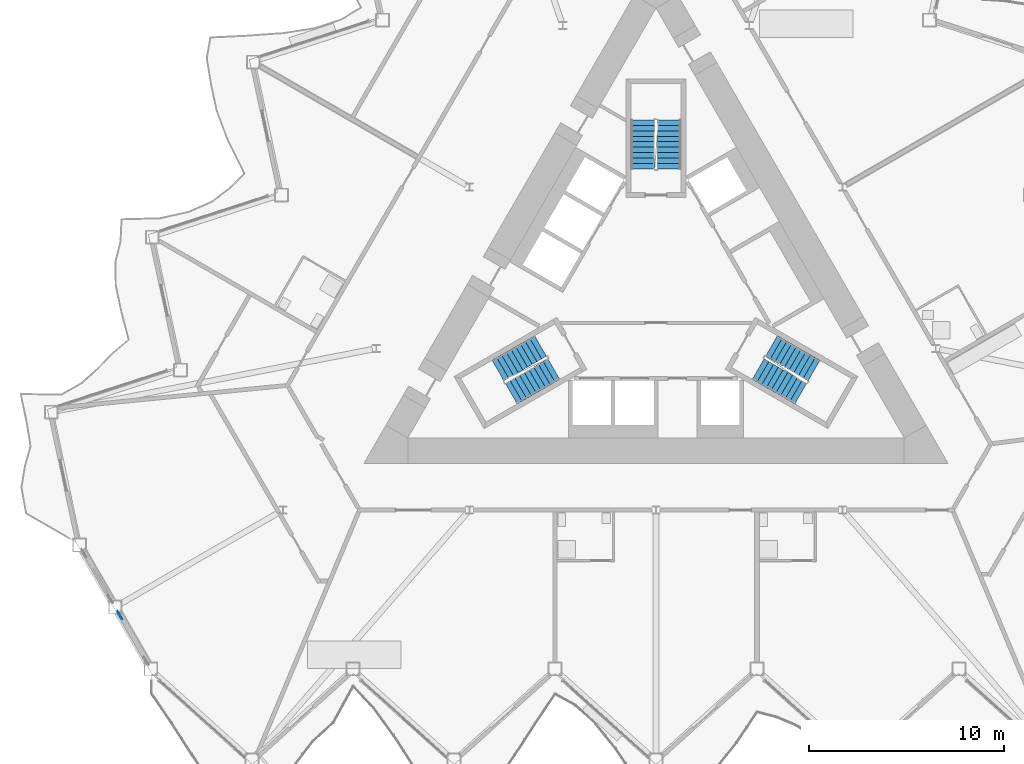
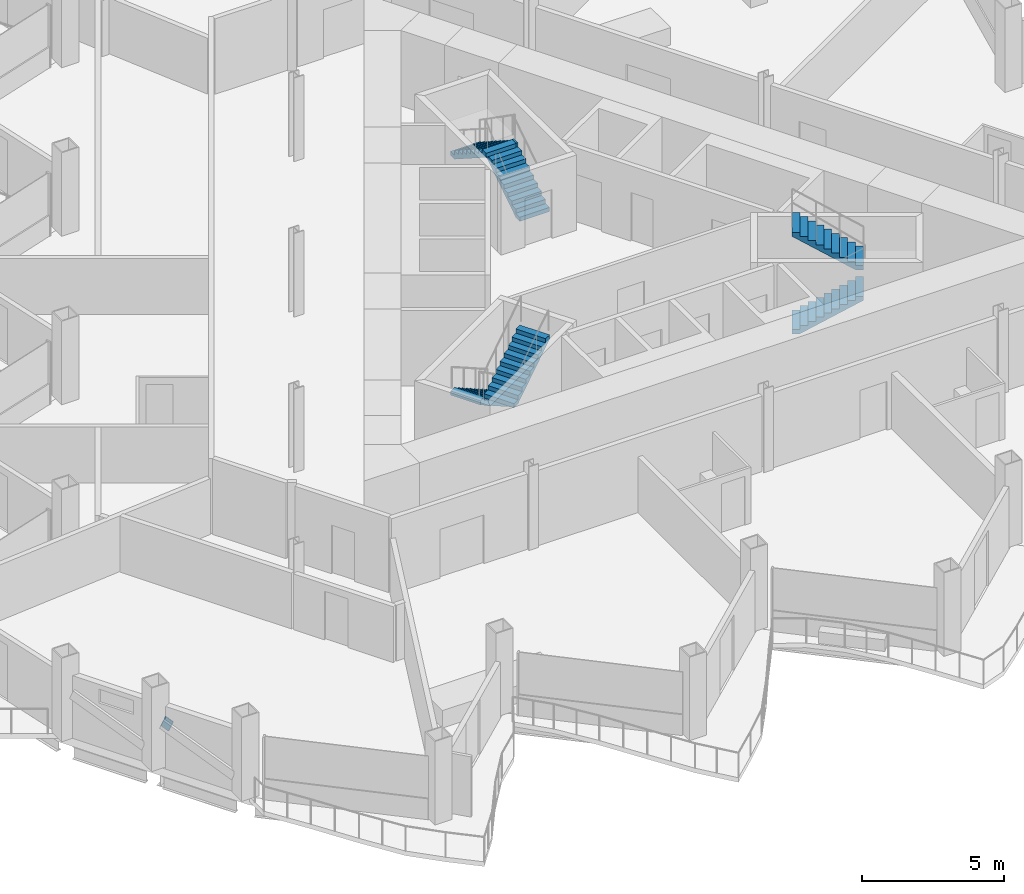
# One storey, part 15 of 23: 6 stair flights, 1 discrete accessory, 3 elements without a shape of their own.
"""IFC4 building model written with IfcOpenShell, lengths in metres."""

from ifc_helpers import new_model, si_unit, direction, frame, origin, origin_2d, place, context, subcontext, project, spatial, polyline, rectangle, outline, extrude, material, material_profile, profile_set, type_object, element, aggregate, save


model = new_model("IFC4")

# Units and contexts
model_context = context("Model", 3, precision=1e-05, world=origin(), true_north=direction((0.0, 1.0)))
body_context = subcontext(model_context, "Body", "Model", "MODEL_VIEW")
ifc_project = project(units=[si_unit("LENGTHUNIT", "METRE"), si_unit("AREAUNIT", "SQUARE_METRE"), si_unit("VOLUMEUNIT", "CUBIC_METRE"), si_unit("PLANEANGLEUNIT", "RADIAN"), si_unit("MASSUNIT", "GRAM", prefix="KILO")], contexts=[model_context])

# Site, building, storey
site_placement = place(None, origin())
site = spatial("IfcSite", under=ifc_project, at=site_placement, CompositionType="ELEMENT")
building_placement = place(site_placement, origin())
building = spatial("IfcBuilding", under=site, at=building_placement, Name="Cormorant Prow Tower", CompositionType="ELEMENT")
storey_placement = place(building_placement, frame((0.0, 0.0, 267.0)))
storey = spatial("IfcBuildingStorey", under=building, at=storey_placement, Name="L60", CompositionType="ELEMENT", Elevation=267.0)

# Stair, stair flights
ifc_material_1 = material(Name="Exit stair 20 risers")
stair_type = type_object("IfcStairType", Name="Exit stair 20 risers", PredefinedType="HALF_TURN_STAIR", material=ifc_material_1)
stair_1_placement = place(storey_placement, origin())
stair_1 = element("IfcStair", 1, at=stair_1_placement, inside=storey, type_object=stair_type, Name="L60 Exit stair ST1", PredefinedType="HALF_TURN_STAIR")
ifc_material_2 = material(Name="Concrete 5000 psi", Category="concrete")
stair_flight_type = type_object("IfcStairFlightType", Name="Stair flight 1219", PredefinedType="STRAIGHT", material=ifc_material_2)
stair_flight_1_placement = place(storey_placement, frame((-5.93310546875, -2.635009765625, 0.0), z_axis=(0.0, 0.0, 1.0), x_axis=(-0.866025403784, -0.5, 0.0)))
stair_flight_1 = element("IfcStairFlight", 2, at=stair_flight_1_placement, type_object=stair_flight_type, Name="ST1 flight 1", NumberOfRisers=10, NumberOfTreads=9, PredefinedType="STRAIGHT", RiserHeight=0.18, TreadLength=0.28, context=body_context, shape_type="SweptSolid", body=[
    extrude(outline(polyline([(0.0, 0.0), (0.0, 0.179931640625), (0.280029296875, 0.179931640625), (0.280029296875, 0.360107421875), (0.56005859375, 0.360107421875), (0.56005859375, 0.5400390625), (0.840087890625, 0.5400390625), (0.840087890625, 0.719970703125), (1.1201171875, 0.719970703125), (1.1201171875, 0.89990234375), (1.39990234375, 0.89990234375), (1.39990234375, 1.080078125), (1.679931640625, 1.080078125), (1.679931640625, 1.260009765625), (1.9599609375, 1.260009765625), (1.9599609375, 1.43994140625), (2.239990234375, 1.43994140625), (2.239990234375, 1.6201171875), (2.52001953125, 1.6201171875), (2.52001953125, 1.800048828125), (2.52001953125, 1.44189453125), (0.277099609375, 0.0), (0.0, 0.0)])), frame((0.0, 0.609375, 0.0), z_axis=(0.0, -1.0, 0.0), x_axis=(1.0, 0.0, 0.0)), (0.0, 0.0, 1.0), 1.218994140625),
])
stair_flight_2_placement = place(storey_placement, frame((-7.43115234375, -5.080810546875, 1.800048828125), z_axis=(0.0, 0.0, 1.0), x_axis=(0.866025403784, 0.5, 0.0)))
stair_flight_2 = element("IfcStairFlight", 3, at=stair_flight_2_placement, type_object=stair_flight_type, Name="ST1 flight 2", NumberOfRisers=10, NumberOfTreads=9, PredefinedType="STRAIGHT", RiserHeight=0.18, TreadLength=0.28, context=body_context, shape_type="SweptSolid", body=[
    extrude(outline(polyline([(0.0, 0.0), (0.0, 0.179931640625), (0.280029296875, 0.179931640625), (0.280029296875, 0.360107421875), (0.56005859375, 0.360107421875), (0.56005859375, 0.5400390625), (0.840087890625, 0.5400390625), (0.840087890625, 0.719970703125), (1.1201171875, 0.719970703125), (1.1201171875, 0.89990234375), (1.39990234375, 0.89990234375), (1.39990234375, 1.080078125), (1.679931640625, 1.080078125), (1.679931640625, 1.260009765625), (1.9599609375, 1.260009765625), (1.9599609375, 1.43994140625), (2.239990234375, 1.43994140625), (2.239990234375, 1.6201171875), (2.52001953125, 1.6201171875), (2.52001953125, 1.800048828125), (2.52001953125, 1.44189453125), (0.277099609375, 0.0), (0.0, 0.0)])), frame((0.0, 0.609375, 0.0), z_axis=(0.0, -1.0, 0.0), x_axis=(1.0, 0.0, 0.0)), (0.0, 0.0, 1.0), 1.218994140625),
])
aggregate(stair_1, [stair_flight_1, stair_flight_2])

stair_2_placement = place(storey_placement, origin())
stair_2 = element("IfcStair", 4, at=stair_2_placement, inside=storey, type_object=stair_type, Name="L60 Exit stair ST2", PredefinedType="HALF_TURN_STAIR")
stair_flight_3_placement = place(storey_placement, frame((5.24853515625, -3.82080078125, 0.0), z_axis=(0.0, 0.0, 1.0), x_axis=(0.866025403784, -0.5, 0.0)))
stair_flight_3 = element("IfcStairFlight", 5, at=stair_flight_3_placement, type_object=stair_flight_type, Name="ST2 flight 1", NumberOfRisers=10, NumberOfTreads=9, PredefinedType="STRAIGHT", RiserHeight=0.18, TreadLength=0.28, context=body_context, shape_type="SweptSolid", body=[
    extrude(outline(polyline([(0.0, 0.0), (0.0, 0.179931640625), (0.280029296875, 0.179931640625), (0.280029296875, 0.360107421875), (0.56005859375, 0.360107421875), (0.56005859375, 0.5400390625), (0.840087890625, 0.5400390625), (0.840087890625, 0.719970703125), (1.1201171875, 0.719970703125), (1.1201171875, 0.89990234375), (1.39990234375, 0.89990234375), (1.39990234375, 1.080078125), (1.679931640625, 1.080078125), (1.679931640625, 1.260009765625), (1.9599609375, 1.260009765625), (1.9599609375, 1.43994140625), (2.239990234375, 1.43994140625), (2.239990234375, 1.6201171875), (2.52001953125, 1.6201171875), (2.52001953125, 1.800048828125), (2.52001953125, 1.44189453125), (0.277099609375, 0.0), (0.0, 0.0)])), frame((0.0, 0.609375, 0.0), z_axis=(0.0, -1.0, 0.0), x_axis=(1.0, 0.0, 0.0)), (0.0, 0.0, 1.0), 1.218994140625),
])
stair_flight_4_placement = place(storey_placement, frame((8.115478515625, -3.89501953125, 1.800048828125), z_axis=(0.0, 0.0, 1.0), x_axis=(-0.866025403784, 0.5, 0.0)))
stair_flight_4 = element("IfcStairFlight", 6, at=stair_flight_4_placement, type_object=stair_flight_type, Name="ST2 flight 2", NumberOfRisers=10, NumberOfTreads=9, PredefinedType="STRAIGHT", RiserHeight=0.18, TreadLength=0.28, context=body_context, shape_type="SweptSolid", body=[
    extrude(outline(polyline([(0.0, 0.0), (0.0, 0.179931640625), (0.280029296875, 0.179931640625), (0.280029296875, 0.360107421875), (0.56005859375, 0.360107421875), (0.56005859375, 0.5400390625), (0.840087890625, 0.5400390625), (0.840087890625, 0.719970703125), (1.1201171875, 0.719970703125), (1.1201171875, 0.89990234375), (1.39990234375, 0.89990234375), (1.39990234375, 1.080078125), (1.679931640625, 1.080078125), (1.679931640625, 1.260009765625), (1.9599609375, 1.260009765625), (1.9599609375, 1.43994140625), (2.239990234375, 1.43994140625), (2.239990234375, 1.6201171875), (2.52001953125, 1.6201171875), (2.52001953125, 1.800048828125), (2.52001953125, 1.44189453125), (0.277099609375, 0.0), (0.0, 0.0)])), frame((0.0, 0.609375, 0.0), z_axis=(0.0, -1.0, 0.0), x_axis=(1.0, 0.0, 0.0)), (0.0, 0.0, 1.0), 1.218994140625),
])
aggregate(stair_2, [stair_flight_3, stair_flight_4])

stair_3_placement = place(storey_placement, origin())
stair_3 = element("IfcStair", 7, at=stair_3_placement, inside=storey, type_object=stair_type, Name="L60 Exit stair ST3", PredefinedType="HALF_TURN_STAIR")
stair_flight_5_placement = place(storey_placement, frame((0.6845703125, 6.455810546875, 0.0), z_axis=(0.0, 0.0, 1.0), x_axis=(0.0, 1.0, 0.0)))
stair_flight_5 = element("IfcStairFlight", 8, at=stair_flight_5_placement, type_object=stair_flight_type, Name="ST3 flight 1", NumberOfRisers=10, NumberOfTreads=9, PredefinedType="STRAIGHT", RiserHeight=0.18, TreadLength=0.28, context=body_context, shape_type="SweptSolid", body=[
    extrude(outline(polyline([(0.0, 0.0), (0.0, 0.179931640625), (0.280029296875, 0.179931640625), (0.280029296875, 0.360107421875), (0.56005859375, 0.360107421875), (0.56005859375, 0.5400390625), (0.840087890625, 0.5400390625), (0.840087890625, 0.719970703125), (1.1201171875, 0.719970703125), (1.1201171875, 0.89990234375), (1.39990234375, 0.89990234375), (1.39990234375, 1.080078125), (1.679931640625, 1.080078125), (1.679931640625, 1.260009765625), (1.9599609375, 1.260009765625), (1.9599609375, 1.43994140625), (2.239990234375, 1.43994140625), (2.239990234375, 1.6201171875), (2.52001953125, 1.6201171875), (2.52001953125, 1.800048828125), (2.52001953125, 1.44189453125), (0.277099609375, 0.0), (0.0, 0.0)])), frame((0.0, 0.609375, 0.0), z_axis=(0.0, -1.0, 0.0), x_axis=(1.0, 0.0, 0.0)), (0.0, 0.0, 1.0), 1.218994140625),
])
stair_flight_6_placement = place(storey_placement, frame((-0.6845703125, 8.975830078125, 1.800048828125), z_axis=(0.0, 0.0, 1.0), x_axis=(0.0, -1.0, 0.0)))
stair_flight_6 = element("IfcStairFlight", 9, at=stair_flight_6_placement, type_object=stair_flight_type, Name="ST3 flight 2", NumberOfRisers=10, NumberOfTreads=9, PredefinedType="STRAIGHT", RiserHeight=0.18, TreadLength=0.28, context=body_context, shape_type="SweptSolid", body=[
    extrude(outline(polyline([(0.0, 0.0), (0.0, 0.179931640625), (0.280029296875, 0.179931640625), (0.280029296875, 0.360107421875), (0.56005859375, 0.360107421875), (0.56005859375, 0.5400390625), (0.840087890625, 0.5400390625), (0.840087890625, 0.719970703125), (1.1201171875, 0.719970703125), (1.1201171875, 0.89990234375), (1.39990234375, 0.89990234375), (1.39990234375, 1.080078125), (1.679931640625, 1.080078125), (1.679931640625, 1.260009765625), (1.9599609375, 1.260009765625), (1.9599609375, 1.43994140625), (2.239990234375, 1.43994140625), (2.239990234375, 1.6201171875), (2.52001953125, 1.6201171875), (2.52001953125, 1.800048828125), (2.52001953125, 1.44189453125), (0.277099609375, 0.0), (0.0, 0.0)])), frame((0.0, 0.609375, 0.0), z_axis=(0.0, -1.0, 0.0), x_axis=(1.0, 0.0, 0.0)), (0.0, 0.0, 1.0), 1.218994140625),
])
aggregate(stair_3, [stair_flight_5, stair_flight_6])

# Discrete accessory
ifc_material_3 = material(Name="Structural steel ASTM A500 Gr C", Category="steel")
ifc_material_profile = material_profile(ifc_material_3, rectangle(XDim=0.031982421875, YDim=0.506103515625, at=origin_2d()), Name="Gusset plate 32x506")
ifc_profile_set = profile_set([ifc_material_profile], Name="Structural steel ASTM A500 Gr C")
discrete_accessory_type = type_object("IfcDiscreteAccessoryType", Name="Gusset plate 32x506", PredefinedType="BRACKET", material=ifc_profile_set)
discrete_accessory_placement = place(storey_placement, frame((-27.454833984375, -16.59375, 1.837890625), z_axis=(-0.46266066689, 0.801805590131, 0.37822335061), x_axis=(-0.866147934042, -0.499787711288, 0.0)))
element("IfcDiscreteAccessory", 10, at=discrete_accessory_placement, inside=storey, type_object=discrete_accessory_type, Name="Gusset plate GP2 L60.WSW01.g1", PredefinedType="BRACKET", context=body_context, shape_type="SweptSolid", body=[
    extrude(rectangle(XDim=0.031982421875, YDim=0.506103515625, at=origin_2d()), origin(), (0.0, 0.0, 1.0), 0.349853515625),
])

save(model, "model.ifc")
